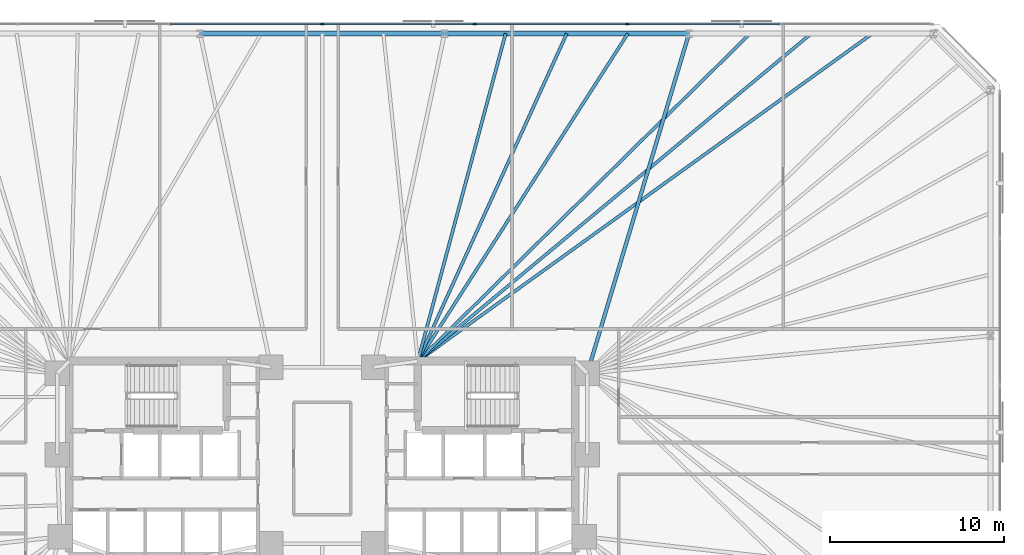
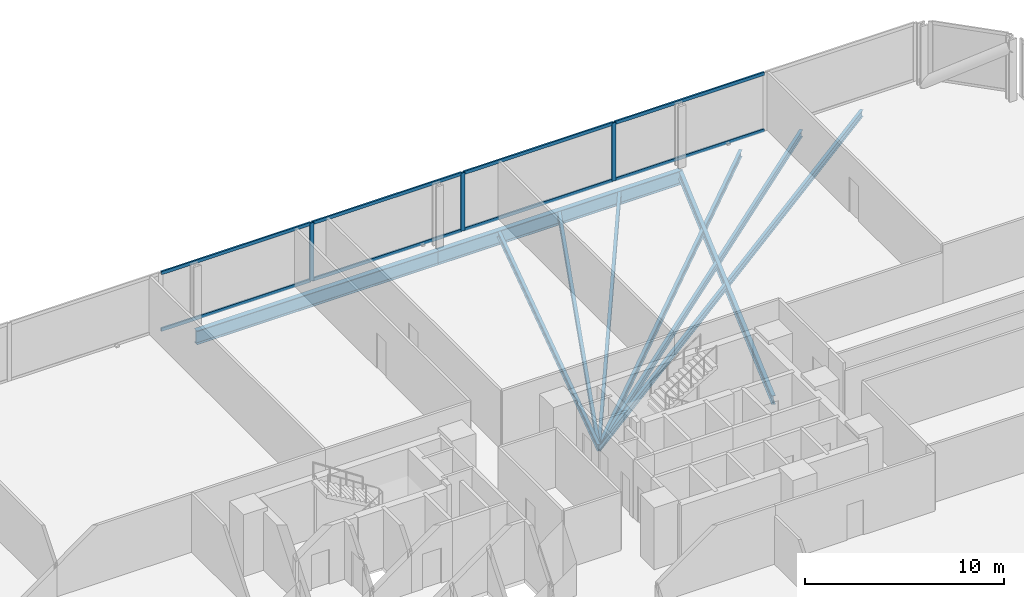
# One storey, part 9 of 17: 11 members, 9 beams, 1 element without a shape of its own.
"""IFC4 building model written with IfcOpenShell, lengths in metres."""

from ifc_helpers import new_model, si_unit, direction, frame, origin, origin_2d, place, context, subcontext, project, spatial, rectangle, i_section, extrude, material, material_profile, profile_set, type_object, element, aggregate, save


model = new_model("IFC4")

# Units and contexts
model_context = context("Model", 3, precision=1e-05, world=origin(), true_north=direction((0.0, 1.0)))
body_context = subcontext(model_context, "Body", "Model", "MODEL_VIEW")
ifc_project = project(units=[si_unit("LENGTHUNIT", "METRE"), si_unit("AREAUNIT", "SQUARE_METRE"), si_unit("VOLUMEUNIT", "CUBIC_METRE"), si_unit("PLANEANGLEUNIT", "RADIAN"), si_unit("MASSUNIT", "GRAM", prefix="KILO")], contexts=[model_context])

# Site, building, storey
site_placement = place(None, origin())
site = spatial("IfcSite", under=ifc_project, at=site_placement, CompositionType="ELEMENT")
building_placement = place(site_placement, origin())
building = spatial("IfcBuilding", under=site, at=building_placement, Name="Menara Jurai Vektor", CompositionType="ELEMENT")
storey_placement = place(building_placement, frame((0.0, 0.0, 48.39990234375)))
storey = spatial("IfcBuildingStorey", under=building, at=storey_placement, Name="L11", CompositionType="ELEMENT", Elevation=48.39990234375)

# Curtain wall, members
ifc_material_1 = material(Name="Anodised Pale Aluminium & Low-E Double Glazing", Category="aluminium")
curtain_wall_type = type_object("IfcCurtainWallType", Name="CW-BLK1", PredefinedType="NOTDEFINED", material=ifc_material_1)
curtain_wall_placement = place(storey_placement, origin())
curtain_wall = element("IfcCurtainWall", 1, at=curtain_wall_placement, inside=storey, type_object=curtain_wall_type, Name="Unitised Curtain Wall L11 F05", PredefinedType="NOTDEFINED")
ifc_material_2 = material(Name="Anodised Pale Aluminium Mullion", Category="aluminium")
ifc_material_profile_1 = material_profile(ifc_material_2, rectangle(XDim=0.094970703125, YDim=0.239990234375, at=origin_2d()), Name="ALU MUL 95x240")
ifc_profile_set_1 = profile_set([ifc_material_profile_1], Name="Anodised Pale Aluminium Mullion")
member_type_1 = type_object("IfcMemberType", Name="CW-BLK1-MUL", PredefinedType="MULLION", material=ifc_profile_set_1)
member_1_placement = place(storey_placement, frame((17.56005859375, 25.0, 0.0), z_axis=(0.0, 0.0, 1.0), x_axis=(0.0, -1.0, 0.0)))
member_1 = element("IfcMember", 2, at=member_1_placement, type_object=member_type_1, Name="CW-01 mullion 3", PredefinedType="MULLION", context=body_context, shape_type="SweptSolid", body=[
    extrude(rectangle(XDim=0.094970703125, YDim=0.239990234375, at=origin_2d()), origin(), (0.0, 0.0, 1.0), 3.5751953125),
])
member_2_placement = place(storey_placement, frame((8.780029296875, 25.0, 0.0), z_axis=(0.0, 0.0, 1.0), x_axis=(0.0, -1.0, 0.0)))
member_2 = element("IfcMember", 3, at=member_2_placement, type_object=member_type_1, Name="CW-01 mullion 4", PredefinedType="MULLION", context=body_context, shape_type="SweptSolid", body=[
    extrude(rectangle(XDim=0.094970703125, YDim=0.239990234375, at=origin_2d()), origin(), (0.0, 0.0, 1.0), 3.5751953125),
])
member_3_placement = place(storey_placement, frame((0.0, 25.0, 0.0), z_axis=(0.0, 0.0, 1.0), x_axis=(0.0, -1.0, 0.0)))
member_3 = element("IfcMember", 4, at=member_3_placement, type_object=member_type_1, Name="CW-01 mullion 5", PredefinedType="MULLION", context=body_context, shape_type="SweptSolid", body=[
    extrude(rectangle(XDim=0.094970703125, YDim=0.239990234375, at=origin_2d()), origin(), (0.0, 0.0, 1.0), 3.5751953125),
])
ifc_material_3 = material(Name="Anodised Pale Aluminium Transom", Category="aluminium")
ifc_material_profile_2 = material_profile(ifc_material_3, rectangle(XDim=0.094970703125, YDim=0.199951171875, at=origin_2d()), Name="ALU TRN 95x200")
ifc_profile_set_2 = profile_set([ifc_material_profile_2], Name="Anodised Pale Aluminium Transom")
member_type_2 = type_object("IfcMemberType", Name="CW-BLK1-TRN", PredefinedType="USERDEFINED", material=ifc_profile_set_2)
member_4_placement = place(storey_placement, frame((26.29248046875, 25.0, 0.047607421875), z_axis=(-1.0, 0.0, 0.0), x_axis=(0.0, -1.0, 0.0)))
member_4 = element("IfcMember", 5, at=member_4_placement, type_object=member_type_2, Name="CW-01 transom 2.1", ObjectType="TRANSOM", PredefinedType="USERDEFINED", context=body_context, shape_type="SweptSolid", body=[
    extrude(rectangle(XDim=0.094970703125, YDim=0.199951171875, at=origin_2d()), origin(), (0.0, 0.0, 1.0), 8.68505859375),
])
member_5_placement = place(storey_placement, frame((26.29248046875, 25.0, 3.527587890625), z_axis=(-1.0, 0.0, 0.0), x_axis=(0.0, -1.0, 0.0)))
member_5 = element("IfcMember", 6, at=member_5_placement, type_object=member_type_2, Name="CW-01 transom 2.2", ObjectType="TRANSOM", PredefinedType="USERDEFINED", context=body_context, shape_type="SweptSolid", body=[
    extrude(rectangle(XDim=0.094970703125, YDim=0.199951171875, at=origin_2d()), origin(), (0.0, 0.0, 1.0), 8.68505859375),
])
member_6_placement = place(storey_placement, frame((17.512451171875, 25.0, 0.047607421875), z_axis=(-1.0, 0.0, 0.0), x_axis=(0.0, -1.0, 0.0)))
member_6 = element("IfcMember", 7, at=member_6_placement, type_object=member_type_2, Name="CW-01 transom 3.1", ObjectType="TRANSOM", PredefinedType="USERDEFINED", context=body_context, shape_type="SweptSolid", body=[
    extrude(rectangle(XDim=0.094970703125, YDim=0.199951171875, at=origin_2d()), origin(), (0.0, 0.0, 1.0), 8.68505859375),
])
member_7_placement = place(storey_placement, frame((17.512451171875, 25.0, 3.527587890625), z_axis=(-1.0, 0.0, 0.0), x_axis=(0.0, -1.0, 0.0)))
member_7 = element("IfcMember", 8, at=member_7_placement, type_object=member_type_2, Name="CW-01 transom 3.2", ObjectType="TRANSOM", PredefinedType="USERDEFINED", context=body_context, shape_type="SweptSolid", body=[
    extrude(rectangle(XDim=0.094970703125, YDim=0.199951171875, at=origin_2d()), origin(), (0.0, 0.0, 1.0), 8.68505859375),
])
member_8_placement = place(storey_placement, frame((8.732421875, 25.0, 0.047607421875), z_axis=(-1.0, 0.0, 0.0), x_axis=(0.0, -1.0, 0.0)))
member_8 = element("IfcMember", 9, at=member_8_placement, type_object=member_type_2, Name="CW-01 transom 4.1", ObjectType="TRANSOM", PredefinedType="USERDEFINED", context=body_context, shape_type="SweptSolid", body=[
    extrude(rectangle(XDim=0.094970703125, YDim=0.199951171875, at=origin_2d()), origin(), (0.0, 0.0, 1.0), 8.684814453125),
])
member_9_placement = place(storey_placement, frame((8.732421875, 25.0, 3.527587890625), z_axis=(-1.0, 0.0, 0.0), x_axis=(0.0, -1.0, 0.0)))
member_9 = element("IfcMember", 10, at=member_9_placement, type_object=member_type_2, Name="CW-01 transom 4.2", ObjectType="TRANSOM", PredefinedType="USERDEFINED", context=body_context, shape_type="SweptSolid", body=[
    extrude(rectangle(XDim=0.094970703125, YDim=0.199951171875, at=origin_2d()), origin(), (0.0, 0.0, 1.0), 8.684814453125),
])
member_10_placement = place(storey_placement, frame((-0.047607421875, 25.0, 0.047607421875), z_axis=(-1.0, 0.0, 0.0), x_axis=(0.0, -1.0, 0.0)))
member_10 = element("IfcMember", 11, at=member_10_placement, type_object=member_type_2, Name="CW-01 transom 5.1", ObjectType="TRANSOM", PredefinedType="USERDEFINED", context=body_context, shape_type="SweptSolid", body=[
    extrude(rectangle(XDim=0.094970703125, YDim=0.199951171875, at=origin_2d()), origin(), (0.0, 0.0, 1.0), 8.684814453125),
])
member_11_placement = place(storey_placement, frame((-0.047607421875, 25.0, 3.527587890625), z_axis=(-1.0, 0.0, 0.0), x_axis=(0.0, -1.0, 0.0)))
member_11 = element("IfcMember", 12, at=member_11_placement, type_object=member_type_2, Name="CW-01 transom 5.2", ObjectType="TRANSOM", PredefinedType="USERDEFINED", context=body_context, shape_type="SweptSolid", body=[
    extrude(rectangle(XDim=0.094970703125, YDim=0.199951171875, at=origin_2d()), origin(), (0.0, 0.0, 1.0), 8.684814453125),
])
aggregate(curtain_wall, [member_1, member_2, member_3, member_4, member_5, member_6, member_7, member_8, member_9, member_10, member_11])

# Beams
ifc_material_4 = material(Name="Steel S355", Category="steel")
ifc_material_profile_3 = material_profile(ifc_material_4, i_section(OverallWidth=0.2109375, OverallDepth=0.5390625, WebThickness=0.011962890625, FlangeThickness=0.01904296875, FilletRadius=0.012939453125, at=origin_2d()), Name="UKB 533x210x109")
ifc_profile_set_3 = profile_set([ifc_material_profile_3], Name="Steel S355")
beam_type_1 = type_object("IfcBeamType", Name="STR-BM-533", PredefinedType="BEAM", material=ifc_profile_set_3)
beam_1_placement = place(storey_placement, frame((21.106689453125, 24.449951171875, -0.494384765625), z_axis=(-0.286973617166, -0.957938486047, 0.0), x_axis=(0.957938486047, -0.286973617166, 0.0)))
element("IfcBeam", 13, at=beam_1_placement, inside=storey, type_object=beam_type_1, Name="Radial Floor Girder L11-N2", PredefinedType="BEAM", context=body_context, shape_type="SweptSolid", body=[
    extrude(i_section(OverallWidth=0.2109375, OverallDepth=0.5390625, WebThickness=0.011962890625, FlangeThickness=0.01904296875, FilletRadius=0.012939453125, at=origin_2d()), origin(), (0.0, 0.0, 1.0), 20.408447265625),
])
ifc_material_profile_4 = material_profile(ifc_material_4, i_section(OverallWidth=0.178955078125, OverallDepth=0.408935546875, WebThickness=0.009033203125, FlangeThickness=0.013916015625, FilletRadius=0.010009765625, at=origin_2d()), Name="UKB 406x178x67")
ifc_profile_set_4 = profile_set([ifc_material_profile_4], Name="Steel S355")
beam_type_2 = type_object("IfcBeamType", Name="STR-JS-406", PredefinedType="JOIST", material=ifc_profile_set_4)
beam_2_placement = place(storey_placement, frame((31.659912109375, 24.449951171875, -0.429443359375), z_axis=(-0.81131785733, -0.584605280833, 0.0), x_axis=(0.584605280833, -0.81131785733, 0.0)))
element("IfcBeam", 14, at=beam_2_placement, inside=storey, type_object=beam_type_2, Name="Radial Secondary Floor Joist L11-JS16", PredefinedType="JOIST", context=body_context, shape_type="SweptSolid", body=[
    extrude(i_section(OverallWidth=0.178955078125, OverallDepth=0.408935546875, WebThickness=0.009033203125, FlangeThickness=0.013916015625, FilletRadius=0.010009765625, at=origin_2d()), origin(), (0.0, 0.0, 1.0), 32.24365234375),
])
beam_3_placement = place(storey_placement, frame((28.142333984375, 24.449951171875, -0.429443359375), z_axis=(-0.76853431665, -0.639808568347, 0.0), x_axis=(0.639808568347, -0.76853431665, 0.0)))
element("IfcBeam", 15, at=beam_3_placement, inside=storey, type_object=beam_type_2, Name="Radial Secondary Floor Joist L11-JS17", PredefinedType="JOIST", context=body_context, shape_type="SweptSolid", body=[
    extrude(i_section(OverallWidth=0.178955078125, OverallDepth=0.408935546875, WebThickness=0.009033203125, FlangeThickness=0.013916015625, FilletRadius=0.010009765625, at=origin_2d()), origin(), (0.0, 0.0, 1.0), 29.461669921875),
])
beam_4_placement = place(storey_placement, frame((24.62451171875, 24.449951171875, -0.429443359375), z_axis=(-0.712202462998, -0.70197411042, 0.0), x_axis=(0.70197411042, -0.712202462998, 0.0)))
element("IfcBeam", 16, at=beam_4_placement, inside=storey, type_object=beam_type_2, Name="Radial Secondary Floor Joist L11-JS18", PredefinedType="JOIST", context=body_context, shape_type="SweptSolid", body=[
    extrude(i_section(OverallWidth=0.178955078125, OverallDepth=0.408935546875, WebThickness=0.009033203125, FlangeThickness=0.013916015625, FilletRadius=0.010009765625, at=origin_2d()), origin(), (0.0, 0.0, 1.0), 26.8525390625),
])
beam_5_placement = place(storey_placement, frame((17.5888671875, 24.449951171875, -0.429443359375), z_axis=(-0.53984422461, -0.841764939372, 0.0), x_axis=(0.841764939372, -0.53984422461, 0.0)))
element("IfcBeam", 17, at=beam_5_placement, inside=storey, type_object=beam_type_2, Name="Radial Secondary Floor Joist L11-JS19", PredefinedType="JOIST", context=body_context, shape_type="SweptSolid", body=[
    extrude(i_section(OverallWidth=0.178955078125, OverallDepth=0.408935546875, WebThickness=0.009033203125, FlangeThickness=0.013916015625, FilletRadius=0.010009765625, at=origin_2d()), origin(), (0.0, 0.0, 1.0), 22.393310546875),
])
beam_6_placement = place(storey_placement, frame((14.071044921875, 24.449951171875, -0.429443359375), z_axis=(-0.413920197297, -0.910313171535, 0.0), x_axis=(0.910313171535, -0.413920197297, 0.0)))
element("IfcBeam", 18, at=beam_6_placement, inside=storey, type_object=beam_type_2, Name="Radial Secondary Floor Joist L11-JS20", PredefinedType="JOIST", context=body_context, shape_type="SweptSolid", body=[
    extrude(i_section(OverallWidth=0.178955078125, OverallDepth=0.408935546875, WebThickness=0.009033203125, FlangeThickness=0.013916015625, FilletRadius=0.010009765625, at=origin_2d()), origin(), (0.0, 0.0, 1.0), 20.70703125),
])
beam_7_placement = place(storey_placement, frame((10.55322265625, 24.449951171875, -0.429443359375), z_axis=(-0.258934723238, -0.965894823002, 0.0), x_axis=(0.965894823002, -0.258934723238, 0.0)))
element("IfcBeam", 19, at=beam_7_placement, inside=storey, type_object=beam_type_2, Name="Radial Secondary Floor Joist L11-JS21", PredefinedType="JOIST", context=body_context, shape_type="SweptSolid", body=[
    extrude(i_section(OverallWidth=0.178955078125, OverallDepth=0.408935546875, WebThickness=0.009033203125, FlangeThickness=0.013916015625, FilletRadius=0.010009765625, at=origin_2d()), origin(), (0.0, 0.0, 1.0), 19.515380859375),
])
ifc_material_5 = material(Name="Steel S460", Category="steel")
ifc_material_profile_5 = material_profile(ifc_material_5, i_section(OverallWidth=0.2939453125, OverallDepth=0.85107421875, WebThickness=0.01611328125, FlangeThickness=0.027099609375, FilletRadius=0.01806640625, at=origin_2d()), Name="UKB 838x292x226")
ifc_profile_set_5 = profile_set([ifc_material_profile_5], Name="Steel S460")
beam_type_3 = type_object("IfcBeamType", Name="STR-SP-838", PredefinedType="SPANDREL", material=ifc_profile_set_5)
beam_8_placement = place(storey_placement, frame((21.106689453125, 24.449951171875, -0.650390625), z_axis=(-1.0, 0.0, 0.0), x_axis=(0.0, -1.0, 0.0)))
element("IfcBeam", 20, at=beam_8_placement, inside=storey, type_object=beam_type_3, Name="Exoskeleton Spandrel Beam L11-12", PredefinedType="SPANDREL", context=body_context, shape_type="SweptSolid", body=[
    extrude(i_section(OverallWidth=0.2939453125, OverallDepth=0.85107421875, WebThickness=0.01611328125, FlangeThickness=0.027099609375, FilletRadius=0.01806640625, at=origin_2d()), origin(), (0.0, 0.0, 1.0), 14.071044921875),
])
beam_9_placement = place(storey_placement, frame((7.03564453125, 24.449951171875, -0.650390625), z_axis=(-1.0, 0.0, 0.0), x_axis=(0.0, -1.0, 0.0)))
element("IfcBeam", 21, at=beam_9_placement, inside=storey, type_object=beam_type_3, Name="Exoskeleton Spandrel Beam L11-13", PredefinedType="SPANDREL", context=body_context, shape_type="SweptSolid", body=[
    extrude(i_section(OverallWidth=0.2939453125, OverallDepth=0.85107421875, WebThickness=0.01611328125, FlangeThickness=0.027099609375, FilletRadius=0.01806640625, at=origin_2d()), origin(), (0.0, 0.0, 1.0), 14.0712890625),
])

save(model, "model.ifc")
